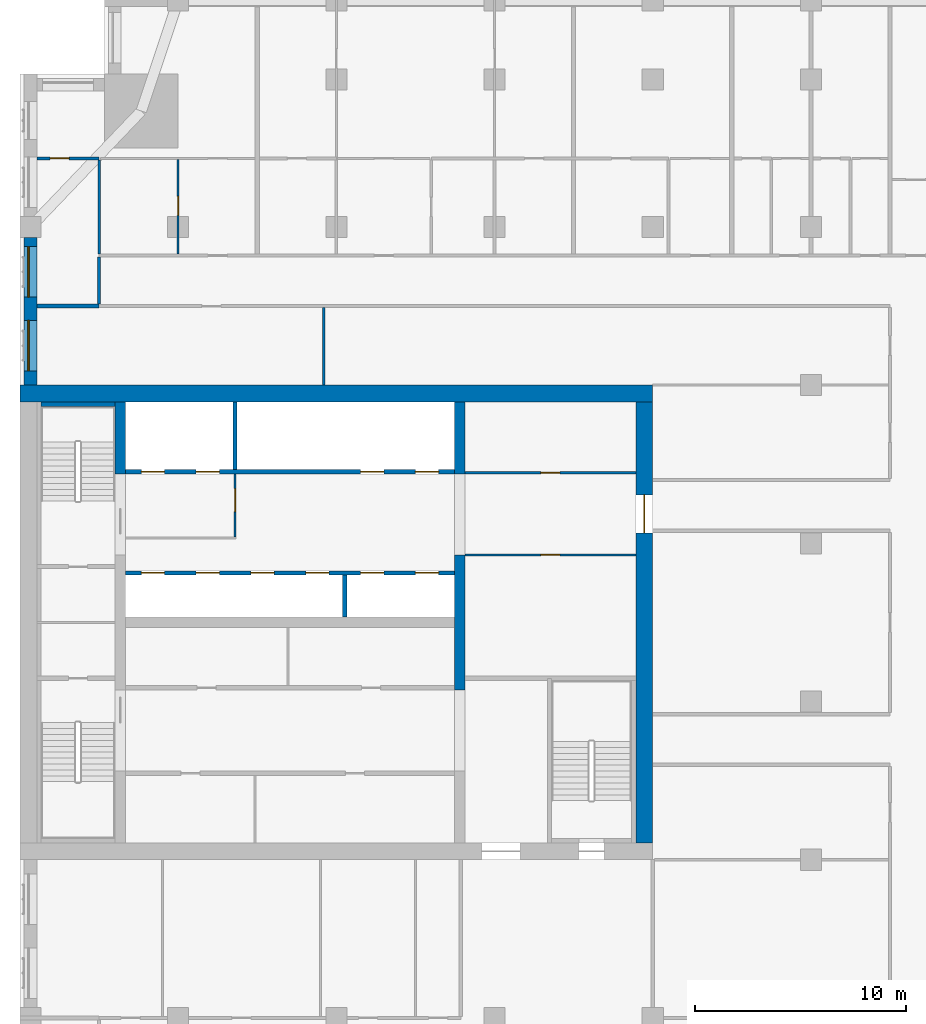
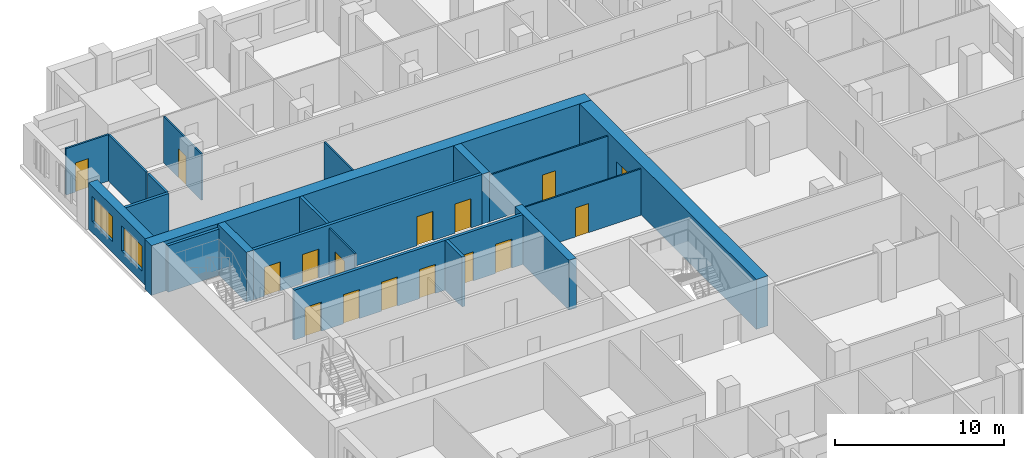
# One storey, part 8 of 14: 20 walls, 16 doors, 2 windows, 18 openings.
"""IFC4 building model written with IfcOpenShell, lengths in metres."""

from ifc_helpers import new_model, si_unit, direction, frame, frame_2d, origin, place, context, subcontext, project, spatial, rectangle, extrude, material, layer, layer_set, type_object, element, fill, save


model = new_model("IFC4")

# Units and contexts
model_context = context("Model", 3, precision=1e-05, world=origin(), true_north=direction((0.0, 1.0)))
body_context = subcontext(model_context, "Body", "Model", "MODEL_VIEW")
ifc_project = project(units=[si_unit("LENGTHUNIT", "METRE"), si_unit("AREAUNIT", "SQUARE_METRE"), si_unit("VOLUMEUNIT", "CUBIC_METRE"), si_unit("PLANEANGLEUNIT", "RADIAN"), si_unit("MASSUNIT", "GRAM", prefix="KILO")], contexts=[model_context])

# Site, building, storey
site_placement = place(None, origin())
site = spatial("IfcSite", under=ifc_project, at=site_placement, CompositionType="ELEMENT")
building_placement = place(site_placement, origin())
building = spatial("IfcBuilding", under=site, at=building_placement, Name="Tamorin Gate", CompositionType="ELEMENT")
storey_placement = place(building_placement, frame((0.0, 0.0, 151.800048828125)))
storey = spatial("IfcBuildingStorey", under=building, at=storey_placement, Name="L37", CompositionType="ELEMENT", Elevation=151.800048828125)

# Wall, openings, windows
ifc_material_1 = material(Name="Precast concrete C40/50", Category="concrete")
ifc_layer_1 = layer(ifc_material_1, 0.60009765625)
ifc_layer_set_1 = layer_set([ifc_layer_1], Name="Precast concrete C40/50")
wall_type_1 = type_object("IfcWallType", Name="Board-marked concrete facade panel 600", PredefinedType="SOLIDWALL", material=ifc_layer_set_1)
wall_1_placement = place(storey_placement, frame((30.5, 89.5, 0.0), z_axis=(0.0, 0.0, 1.0), x_axis=(0.0, -1.0, 0.0)))
wall_1 = element("IfcWall", 1, at=wall_1_placement, inside=storey, type_object=wall_type_1, Name="Facade panel", PredefinedType="SOLIDWALL", context=body_context, shape_type="SweptSolid", body=[
    extrude(rectangle(XDim=7.0, YDim=0.60009765625, at=frame_2d((3.5, 0.0))), origin(), (0.0, 0.0, 1.0), 3.349853515625),
])
opening_1_placement = place(wall_1_placement, frame((3.925048828125, 0.0, 0.800048828125)))
opening_1 = element("IfcOpeningElement", 2, at=opening_1_placement, cuts=wall_1, Name="Opening WN1", PredefinedType="OPENING", context=body_context, shape_type="SweptSolid", body=[
    extrude(rectangle(XDim=2.39990234375, YDim=1.800048828125, at=frame_2d((1.199951171875, 0.89990234375))), frame((0.0, 0.31005859375, 0.0), z_axis=(0.0, -1.0, 0.0), x_axis=(1.0, 0.0, 0.0)), (0.0, 0.0, 1.0), 0.6201171875),
])
opening_2_placement = place(wall_1_placement, frame((0.425048828125, 0.0, 0.800048828125)))
opening_2 = element("IfcOpeningElement", 3, at=opening_2_placement, cuts=wall_1, Name="Opening WN1", PredefinedType="OPENING", context=body_context, shape_type="SweptSolid", body=[
    extrude(rectangle(XDim=2.39990234375, YDim=1.800048828125, at=frame_2d((1.199951171875, 0.89990234375))), frame((0.0, 0.31005859375, 0.0), z_axis=(0.0, -1.0, 0.0), x_axis=(1.0, 0.0, 0.0)), (0.0, 0.0, 1.0), 0.6201171875),
])
ifc_material_2 = material(Name="Clear glass in aluminium frame", Category="aluminium")
window_type = type_object("IfcWindowType", Name="Deep-set window 2400x1800", PartitioningType="SINGLE_PANEL", PredefinedType="WINDOW", material=ifc_material_2)
window_1_placement = place(opening_1_placement, origin())
window_1 = element("IfcWindow", 4, at=window_1_placement, inside=storey, type_object=window_type, Name="Deep-set window", OverallHeight=1.800048828125, OverallWidth=2.39990234375, PartitioningType="SINGLE_PANEL", PredefinedType="WINDOW", context=body_context, shape_type="SweptSolid", body=[
    extrude(rectangle(XDim=2.39990234375, YDim=1.800048828125, at=frame_2d((1.199951171875, 0.89990234375))), frame((0.0, -0.070068359375, 0.0), z_axis=(0.0, -1.0, 0.0), x_axis=(1.0, 0.0, 0.0)), (0.0, 0.0, 1.0), 0.06005859375),
])
fill(opening_1, window_1)
window_2_placement = place(opening_2_placement, origin())
window_2 = element("IfcWindow", 5, at=window_2_placement, inside=storey, type_object=window_type, Name="Deep-set window", OverallHeight=1.800048828125, OverallWidth=2.39990234375, PartitioningType="SINGLE_PANEL", PredefinedType="WINDOW", context=body_context, shape_type="SweptSolid", body=[
    extrude(rectangle(XDim=2.39990234375, YDim=1.800048828125, at=frame_2d((1.199951171875, 0.89990234375))), frame((0.0, -0.070068359375, 0.0), z_axis=(0.0, -1.0, 0.0), x_axis=(1.0, 0.0, 0.0)), (0.0, 0.0, 1.0), 0.06005859375),
])
fill(opening_2, window_2)

# Walls
ifc_material_3 = material(Name="Gypsum board partition")
ifc_layer_2 = layer(ifc_material_3, 0.14990234375)
ifc_layer_set_2 = layer_set([ifc_layer_2], Name="Corridor wall 150")
wall_type_2 = type_object("IfcWallType", Name="Corridor wall 150", PredefinedType="PARTITIONING", material=ifc_layer_set_2)
wall_2_placement = place(storey_placement, frame((33.75, 86.35009765625, 0.0), z_axis=(0.0, 0.0, 1.0), x_axis=(0.0, 1.0, 0.0)))
element("IfcWall", 6, at=wall_2_placement, inside=storey, type_object=wall_type_2, Name="Corridor wall 150", PredefinedType="PARTITIONING", context=body_context, shape_type="SweptSolid", body=[
    extrude(rectangle(XDim=2.224853515625, YDim=0.14990234375, at=frame_2d((1.1123046875, 0.0))), origin(), (0.0, 0.0, 1.0), 3.349853515625),
])
ifc_layer_3 = layer(ifc_material_3, 0.199951171875)
ifc_layer_set_3 = layer_set([ifc_layer_3], Name="Demising wall 200")
wall_type_3 = type_object("IfcWallType", Name="Demising wall 200", PredefinedType="PARTITIONING", material=ifc_layer_set_3)
wall_3_placement = place(storey_placement, frame((30.81005859375, 86.25, 0.0), z_axis=(0.0, 0.0, 1.0), x_axis=(1.0, 0.0, 0.0)))
element("IfcWall", 7, at=wall_3_placement, inside=storey, type_object=wall_type_3, Name="Demising wall 200", PredefinedType="PARTITIONING", context=body_context, shape_type="SweptSolid", body=[
    extrude(rectangle(XDim=2.93994140625, YDim=0.199951171875, at=frame_2d((1.469970703125, 0.0))), origin(), (0.0, 0.0, 1.0), 3.349853515625),
])

# Wall, openings, doors
ifc_material_4 = material(Name="Concrete C32/40", Category="concrete")
ifc_layer_4 = layer(ifc_material_4, 0.199951171875)
ifc_layer_set_4 = layer_set([ifc_layer_4], Name="Lift lobby face wall 200 EI 120")
wall_type_4 = type_object("IfcWallType", Name="Lift lobby face wall 200 EI 120", PredefinedType="SOLIDWALL", material=ifc_layer_set_4)
wall_4_placement = place(storey_placement, frame((35.0, 73.60009765625, 0.0), z_axis=(0.0, 0.0, 1.0), x_axis=(1.0, 0.0, 0.0)))
wall_4 = element("IfcWall", 8, at=wall_4_placement, inside=storey, type_object=wall_type_4, Name="Lift lobby face wall", PredefinedType="SOLIDWALL", context=body_context, shape_type="SweptSolid", body=[
    extrude(rectangle(XDim=15.60009765625, YDim=0.199951171875, at=frame_2d((7.800048828125, 0.0))), origin(), (0.0, 0.0, 1.0), 3.599853515625),
])
opening_3_placement = place(wall_4_placement, frame((0.75, 0.0, 0.0)))
opening_3 = element("IfcOpeningElement", 9, at=opening_3_placement, cuts=wall_4, Name="Opening LD11", PredefinedType="OPENING", context=body_context, shape_type="SweptSolid", body=[
    extrude(rectangle(XDim=1.10009765625, YDim=2.10009765625, at=frame_2d((0.550048828125, 1.050048828125))), frame((0.0, 0.10986328125, 0.0), z_axis=(0.0, -1.0, 0.0), x_axis=(1.0, 0.0, 0.0)), (0.0, 0.0, 1.0), 0.219970703125),
])
opening_4_placement = place(wall_4_placement, frame((3.35009765625, 0.0, 0.0)))
opening_4 = element("IfcOpeningElement", 10, at=opening_4_placement, cuts=wall_4, Name="Opening LD12", PredefinedType="OPENING", context=body_context, shape_type="SweptSolid", body=[
    extrude(rectangle(XDim=1.10009765625, YDim=2.10009765625, at=frame_2d((0.550048828125, 1.050048828125))), frame((0.0, 0.10986328125, 0.0), z_axis=(0.0, -1.0, 0.0), x_axis=(1.0, 0.0, 0.0)), (0.0, 0.0, 1.0), 0.219970703125),
])
opening_5_placement = place(wall_4_placement, frame((5.949951171875, 0.0, 0.0)))
opening_5 = element("IfcOpeningElement", 11, at=opening_5_placement, cuts=wall_4, Name="Opening LD13", PredefinedType="OPENING", context=body_context, shape_type="SweptSolid", body=[
    extrude(rectangle(XDim=1.10009765625, YDim=2.10009765625, at=frame_2d((0.550048828125, 1.050048828125))), frame((0.0, 0.10986328125, 0.0), z_axis=(0.0, -1.0, 0.0), x_axis=(1.0, 0.0, 0.0)), (0.0, 0.0, 1.0), 0.219970703125),
])
opening_6_placement = place(wall_4_placement, frame((8.550048828125, 0.0, 0.0)))
opening_6 = element("IfcOpeningElement", 12, at=opening_6_placement, cuts=wall_4, Name="Opening LD14", PredefinedType="OPENING", context=body_context, shape_type="SweptSolid", body=[
    extrude(rectangle(XDim=1.10009765625, YDim=2.10009765625, at=frame_2d((0.550048828125, 1.050048828125))), frame((0.0, 0.10986328125, 0.0), z_axis=(0.0, -1.0, 0.0), x_axis=(1.0, 0.0, 0.0)), (0.0, 0.0, 1.0), 0.219970703125),
])
opening_7_placement = place(wall_4_placement, frame((11.14990234375, 0.0, 0.0)))
opening_7 = element("IfcOpeningElement", 13, at=opening_7_placement, cuts=wall_4, Name="Opening LD15", PredefinedType="OPENING", context=body_context, shape_type="SweptSolid", body=[
    extrude(rectangle(XDim=1.10009765625, YDim=2.10009765625, at=frame_2d((0.550048828125, 1.050048828125))), frame((0.0, 0.10986328125, 0.0), z_axis=(0.0, -1.0, 0.0), x_axis=(1.0, 0.0, 0.0)), (0.0, 0.0, 1.0), 0.219970703125),
])
opening_8_placement = place(wall_4_placement, frame((13.75, 0.0, 0.0)))
opening_8 = element("IfcOpeningElement", 14, at=opening_8_placement, cuts=wall_4, Name="Opening LD16", PredefinedType="OPENING", context=body_context, shape_type="SweptSolid", body=[
    extrude(rectangle(XDim=1.10009765625, YDim=2.10009765625, at=frame_2d((0.550048828125, 1.050048828125))), frame((0.0, 0.10986328125, 0.0), z_axis=(0.0, -1.0, 0.0), x_axis=(1.0, 0.0, 0.0)), (0.0, 0.0, 1.0), 0.219970703125),
])
ifc_material_5 = material(Name="Stainless steel sliding door", Category="steel")
door_type_1 = type_object("IfcDoorType", Name="Lift landing door 1100 x 2100 E 90", OperationType="DOUBLE_DOOR_SLIDING", PredefinedType="DOOR", material=ifc_material_5)
door_1_placement = place(opening_3_placement, origin())
door_1 = element("IfcDoor", 15, at=door_1_placement, inside=storey, type_object=door_type_1, Name="HR1 landing door", OperationType="DOUBLE_DOOR_SLIDING", OverallHeight=2.10009765625, OverallWidth=1.10009765625, PredefinedType="DOOR", context=body_context, shape_type="SweptSolid", body=[
    extrude(rectangle(XDim=1.10009765625, YDim=2.10009765625, at=frame_2d((0.550048828125, 1.050048828125))), frame((0.0, 0.02490234375, 0.0), z_axis=(0.0, -1.0, 0.0), x_axis=(1.0, 0.0, 0.0)), (0.0, 0.0, 1.0), 0.050048828125),
])
fill(opening_3, door_1)
door_2_placement = place(opening_4_placement, origin())
door_2 = element("IfcDoor", 16, at=door_2_placement, inside=storey, type_object=door_type_1, Name="HR2 landing door", OperationType="DOUBLE_DOOR_SLIDING", OverallHeight=2.10009765625, OverallWidth=1.10009765625, PredefinedType="DOOR", context=body_context, shape_type="SweptSolid", body=[
    extrude(rectangle(XDim=1.10009765625, YDim=2.10009765625, at=frame_2d((0.550048828125, 1.050048828125))), frame((0.0, 0.02490234375, 0.0), z_axis=(0.0, -1.0, 0.0), x_axis=(1.0, 0.0, 0.0)), (0.0, 0.0, 1.0), 0.050048828125),
])
fill(opening_4, door_2)
door_3_placement = place(opening_5_placement, origin())
door_3 = element("IfcDoor", 17, at=door_3_placement, inside=storey, type_object=door_type_1, Name="HR3 landing door", OperationType="DOUBLE_DOOR_SLIDING", OverallHeight=2.10009765625, OverallWidth=1.10009765625, PredefinedType="DOOR", context=body_context, shape_type="SweptSolid", body=[
    extrude(rectangle(XDim=1.10009765625, YDim=2.10009765625, at=frame_2d((0.550048828125, 1.050048828125))), frame((0.0, 0.02490234375, 0.0), z_axis=(0.0, -1.0, 0.0), x_axis=(1.0, 0.0, 0.0)), (0.0, 0.0, 1.0), 0.050048828125),
])
fill(opening_5, door_3)
door_4_placement = place(opening_6_placement, origin())
door_4 = element("IfcDoor", 18, at=door_4_placement, inside=storey, type_object=door_type_1, Name="HR4 landing door", OperationType="DOUBLE_DOOR_SLIDING", OverallHeight=2.10009765625, OverallWidth=1.10009765625, PredefinedType="DOOR", context=body_context, shape_type="SweptSolid", body=[
    extrude(rectangle(XDim=1.10009765625, YDim=2.10009765625, at=frame_2d((0.550048828125, 1.050048828125))), frame((0.0, 0.02490234375, 0.0), z_axis=(0.0, -1.0, 0.0), x_axis=(1.0, 0.0, 0.0)), (0.0, 0.0, 1.0), 0.050048828125),
])
fill(opening_6, door_4)
door_5_placement = place(opening_7_placement, origin())
door_5 = element("IfcDoor", 19, at=door_5_placement, inside=storey, type_object=door_type_1, Name="HR5 landing door", OperationType="DOUBLE_DOOR_SLIDING", OverallHeight=2.10009765625, OverallWidth=1.10009765625, PredefinedType="DOOR", context=body_context, shape_type="SweptSolid", body=[
    extrude(rectangle(XDim=1.10009765625, YDim=2.10009765625, at=frame_2d((0.550048828125, 1.050048828125))), frame((0.0, 0.02490234375, 0.0), z_axis=(0.0, -1.0, 0.0), x_axis=(1.0, 0.0, 0.0)), (0.0, 0.0, 1.0), 0.050048828125),
])
fill(opening_7, door_5)
door_6_placement = place(opening_8_placement, origin())
door_6 = element("IfcDoor", 20, at=door_6_placement, inside=storey, type_object=door_type_1, Name="HR6 landing door", OperationType="DOUBLE_DOOR_SLIDING", OverallHeight=2.10009765625, OverallWidth=1.10009765625, PredefinedType="DOOR", context=body_context, shape_type="SweptSolid", body=[
    extrude(rectangle(XDim=1.10009765625, YDim=2.10009765625, at=frame_2d((0.550048828125, 1.050048828125))), frame((0.0, 0.02490234375, 0.0), z_axis=(0.0, -1.0, 0.0), x_axis=(1.0, 0.0, 0.0)), (0.0, 0.0, 1.0), 0.050048828125),
])
fill(opening_8, door_6)

wall_5_placement = place(storey_placement, frame((35.0, 78.39990234375, 0.0), z_axis=(0.0, 0.0, 1.0), x_axis=(1.0, 0.0, 0.0)))
wall_5 = element("IfcWall", 21, at=wall_5_placement, inside=storey, type_object=wall_type_4, Name="Lift lobby face wall", PredefinedType="SOLIDWALL", context=body_context, shape_type="SweptSolid", body=[
    extrude(rectangle(XDim=15.60009765625, YDim=0.199951171875, at=frame_2d((7.800048828125, 0.0))), origin(), (0.0, 0.0, 1.0), 3.599853515625),
])
opening_9_placement = place(wall_5_placement, frame((0.75, 0.0, 0.0)))
opening_9 = element("IfcOpeningElement", 22, at=opening_9_placement, cuts=wall_5, Name="Opening LD17", PredefinedType="OPENING", context=body_context, shape_type="SweptSolid", body=[
    extrude(rectangle(XDim=1.10009765625, YDim=2.10009765625, at=frame_2d((0.550048828125, 1.050048828125))), frame((0.0, 0.10986328125, 0.0), z_axis=(0.0, -1.0, 0.0), x_axis=(1.0, 0.0, 0.0)), (0.0, 0.0, 1.0), 0.219970703125),
])
opening_10_placement = place(wall_5_placement, frame((3.35009765625, 0.0, 0.0)))
opening_10 = element("IfcOpeningElement", 23, at=opening_10_placement, cuts=wall_5, Name="Opening LD18", PredefinedType="OPENING", context=body_context, shape_type="SweptSolid", body=[
    extrude(rectangle(XDim=1.10009765625, YDim=2.10009765625, at=frame_2d((0.550048828125, 1.050048828125))), frame((0.0, 0.10986328125, 0.0), z_axis=(0.0, -1.0, 0.0), x_axis=(1.0, 0.0, 0.0)), (0.0, 0.0, 1.0), 0.219970703125),
])
opening_11_placement = place(wall_5_placement, frame((11.14990234375, 0.0, 0.0)))
opening_11 = element("IfcOpeningElement", 24, at=opening_11_placement, cuts=wall_5, Name="Opening LD21", PredefinedType="OPENING", context=body_context, shape_type="SweptSolid", body=[
    extrude(rectangle(XDim=1.10009765625, YDim=2.10009765625, at=frame_2d((0.550048828125, 1.050048828125))), frame((0.0, 0.10986328125, 0.0), z_axis=(0.0, -1.0, 0.0), x_axis=(1.0, 0.0, 0.0)), (0.0, 0.0, 1.0), 0.219970703125),
])
opening_12_placement = place(wall_5_placement, frame((13.75, 0.0, 0.0)))
opening_12 = element("IfcOpeningElement", 25, at=opening_12_placement, cuts=wall_5, Name="Opening LD22", PredefinedType="OPENING", context=body_context, shape_type="SweptSolid", body=[
    extrude(rectangle(XDim=1.10009765625, YDim=2.10009765625, at=frame_2d((0.550048828125, 1.050048828125))), frame((0.0, 0.10986328125, 0.0), z_axis=(0.0, -1.0, 0.0), x_axis=(1.0, 0.0, 0.0)), (0.0, 0.0, 1.0), 0.219970703125),
])
door_7_placement = place(opening_9_placement, origin())
door_7 = element("IfcDoor", 26, at=door_7_placement, inside=storey, type_object=door_type_1, Name="FF1 landing door", OperationType="DOUBLE_DOOR_SLIDING", OverallHeight=2.10009765625, OverallWidth=1.10009765625, PredefinedType="DOOR", context=body_context, shape_type="SweptSolid", body=[
    extrude(rectangle(XDim=1.10009765625, YDim=2.10009765625, at=frame_2d((0.550048828125, 1.050048828125))), frame((0.0, 0.02490234375, 0.0), z_axis=(0.0, -1.0, 0.0), x_axis=(1.0, 0.0, 0.0)), (0.0, 0.0, 1.0), 0.050048828125),
])
fill(opening_9, door_7)
door_8_placement = place(opening_10_placement, origin())
door_8 = element("IfcDoor", 27, at=door_8_placement, inside=storey, type_object=door_type_1, Name="FF2 landing door", OperationType="DOUBLE_DOOR_SLIDING", OverallHeight=2.10009765625, OverallWidth=1.10009765625, PredefinedType="DOOR", context=body_context, shape_type="SweptSolid", body=[
    extrude(rectangle(XDim=1.10009765625, YDim=2.10009765625, at=frame_2d((0.550048828125, 1.050048828125))), frame((0.0, 0.02490234375, 0.0), z_axis=(0.0, -1.0, 0.0), x_axis=(1.0, 0.0, 0.0)), (0.0, 0.0, 1.0), 0.050048828125),
])
fill(opening_10, door_8)
door_9_placement = place(opening_11_placement, origin())
door_9 = element("IfcDoor", 28, at=door_9_placement, inside=storey, type_object=door_type_1, Name="SV1 landing door", OperationType="DOUBLE_DOOR_SLIDING", OverallHeight=2.10009765625, OverallWidth=1.10009765625, PredefinedType="DOOR", context=body_context, shape_type="SweptSolid", body=[
    extrude(rectangle(XDim=1.10009765625, YDim=2.10009765625, at=frame_2d((0.550048828125, 1.050048828125))), frame((0.0, 0.02490234375, 0.0), z_axis=(0.0, -1.0, 0.0), x_axis=(1.0, 0.0, 0.0)), (0.0, 0.0, 1.0), 0.050048828125),
])
fill(opening_11, door_9)
door_10_placement = place(opening_12_placement, origin())
door_10 = element("IfcDoor", 29, at=door_10_placement, inside=storey, type_object=door_type_1, Name="SV2 landing door", OperationType="DOUBLE_DOOR_SLIDING", OverallHeight=2.10009765625, OverallWidth=1.10009765625, PredefinedType="DOOR", context=body_context, shape_type="SweptSolid", body=[
    extrude(rectangle(XDim=1.10009765625, YDim=2.10009765625, at=frame_2d((0.550048828125, 1.050048828125))), frame((0.0, 0.02490234375, 0.0), z_axis=(0.0, -1.0, 0.0), x_axis=(1.0, 0.0, 0.0)), (0.0, 0.0, 1.0), 0.050048828125),
])
fill(opening_12, door_10)

# Walls
ifc_layer_5 = layer(ifc_material_4, 0.199951171875)
ifc_layer_set_5 = layer_set([ifc_layer_5], Name="Lift shaft wall 200 EI 120")
wall_type_5 = type_object("IfcWallType", Name="Lift shaft wall 200 EI 120", PredefinedType="SOLIDWALL", material=ifc_layer_set_5)
wall_6_placement = place(storey_placement, frame((45.39990234375, 71.5, 0.0), z_axis=(0.0, 0.0, 1.0), x_axis=(0.0, 1.0, 0.0)))
element("IfcWall", 30, at=wall_6_placement, inside=storey, type_object=wall_type_5, Name="Lift shaft wall", PredefinedType="SOLIDWALL", context=body_context, shape_type="SweptSolid", body=[
    extrude(rectangle(XDim=2.0, YDim=0.199951171875, at=frame_2d((1.0, 0.0))), origin(), (0.0, 0.0, 1.0), 3.599853515625),
])
wall_7_placement = place(storey_placement, frame((40.199951171875, 78.5, 0.0), z_axis=(0.0, 0.0, 1.0), x_axis=(0.0, 1.0, 0.0)))
element("IfcWall", 31, at=wall_7_placement, inside=storey, type_object=wall_type_5, Name="Lift shaft wall", PredefinedType="SOLIDWALL", context=body_context, shape_type="SweptSolid", body=[
    extrude(rectangle(XDim=3.199951171875, YDim=0.199951171875, at=frame_2d((1.60009765625, 0.0))), origin(), (0.0, 0.0, 1.0), 3.599853515625),
])

# Wall, opening, door
ifc_material_6 = material(Name="Fire-rated gypsum board partition")
ifc_layer_6 = layer(ifc_material_6, 0.10009765625)
ifc_layer_set_6 = layer_set([ifc_layer_6], Name="Lobby wall 100 EI 60")
wall_type_6 = type_object("IfcWallType", Name="Lobby wall 100 EI 60", PredefinedType="PARTITIONING", material=ifc_layer_set_6)
wall_8_placement = place(storey_placement, frame((40.199951171875, 75.300048828125, 0.0), z_axis=(0.0, 0.0, 1.0), x_axis=(0.0, 1.0, 0.0)))
wall_8 = element("IfcWall", 32, at=wall_8_placement, inside=storey, type_object=wall_type_6, Name="Firefighting lobby wall", PredefinedType="PARTITIONING", context=body_context, shape_type="SweptSolid", body=[
    extrude(rectangle(XDim=3.0, YDim=0.10009765625, at=frame_2d((1.5, 0.0))), origin(), (0.0, 0.0, 1.0), 3.349853515625),
])
opening_13_placement = place(wall_8_placement, frame((1.199951171875, 0.0, 0.0)))
opening_13 = element("IfcOpeningElement", 33, at=opening_13_placement, cuts=wall_8, Name="Opening DF1", PredefinedType="OPENING", context=body_context, shape_type="SweptSolid", body=[
    extrude(rectangle(XDim=1.10009765625, YDim=2.10009765625, at=frame_2d((0.550048828125, 1.050048828125))), frame((0.0, 0.06005859375, 0.0), z_axis=(0.0, -1.0, 0.0), x_axis=(1.0, 0.0, 0.0)), (0.0, 0.0, 1.0), 0.1201171875),
])
ifc_material_7 = material(Name="Steel fire door", Category="steel")
door_type_2 = type_object("IfcDoorType", Name="Firefighting lobby door 1100 x 2100 EI 90", OperationType="SINGLE_SWING_LEFT", PredefinedType="DOOR", material=ifc_material_7)
door_11_placement = place(opening_13_placement, origin())
door_11 = element("IfcDoor", 34, at=door_11_placement, inside=storey, type_object=door_type_2, Name="Firefighting lobby door", OperationType="SINGLE_SWING_LEFT", OverallHeight=2.10009765625, OverallWidth=1.10009765625, PredefinedType="DOOR", context=body_context, shape_type="SweptSolid", body=[
    extrude(rectangle(XDim=1.10009765625, YDim=2.10009765625, at=frame_2d((0.550048828125, 1.050048828125))), frame((0.0, 0.02490234375, 0.0), z_axis=(0.0, -1.0, 0.0), x_axis=(1.0, 0.0, 0.0)), (0.0, 0.0, 1.0), 0.050048828125),
])
fill(opening_13, door_11)

# Walls
ifc_material_8 = material(Name="Concrete C60/75", Category="concrete")
ifc_layer_7 = layer(ifc_material_8, 0.5)
ifc_layer_set_7 = layer_set([ifc_layer_7], Name="RC core internal wall 500 C60/75")
wall_type_7 = type_object("IfcWallType", Name="RC core internal wall 500 C60/75", PredefinedType="SHEAR", material=ifc_layer_set_7)
wall_9_placement = place(storey_placement, frame((34.75, 78.300048828125, 0.0), z_axis=(0.0, 0.0, 1.0), x_axis=(0.0, 1.0, 0.0)))
element("IfcWall", 35, at=wall_9_placement, inside=storey, type_object=wall_type_7, Name="Core cross wall L37", PredefinedType="SHEAR", context=body_context, shape_type="SweptSolid", body=[
    extrude(rectangle(XDim=3.39990234375, YDim=0.5, at=frame_2d((1.699951171875, 0.0))), origin(), (0.0, 0.0, 1.0), 3.599853515625),
])
wall_10_placement = place(storey_placement, frame((50.85009765625, 68.050048828125, 0.0), z_axis=(0.0, 0.0, 1.0), x_axis=(0.0, 1.0, 0.0)))
element("IfcWall", 36, at=wall_10_placement, inside=storey, type_object=wall_type_7, Name="Core cross wall L37", PredefinedType="SHEAR", context=body_context, shape_type="SweptSolid", body=[
    extrude(rectangle(XDim=6.39990234375, YDim=0.5, at=frame_2d((3.199951171875, 0.0))), origin(), (0.0, 0.0, 1.0), 3.599853515625),
])
wall_11_placement = place(storey_placement, frame((50.85009765625, 78.300048828125, 0.0), z_axis=(0.0, 0.0, 1.0), x_axis=(0.0, 1.0, 0.0)))
element("IfcWall", 37, at=wall_11_placement, inside=storey, type_object=wall_type_7, Name="Core cross wall L37", PredefinedType="SHEAR", context=body_context, shape_type="SweptSolid", body=[
    extrude(rectangle(XDim=3.39990234375, YDim=0.5, at=frame_2d((1.699951171875, 0.0))), origin(), (0.0, 0.0, 1.0), 3.599853515625),
])
ifc_layer_8 = layer(ifc_material_8, 0.800048828125)
ifc_layer_set_8 = layer_set([ifc_layer_8], Name="RC core wall 800 C60/75")
wall_type_8 = type_object("IfcWallType", Name="RC core wall 800 C60/75", PredefinedType="SHEAR", material=ifc_layer_set_8)
wall_12_placement = place(storey_placement, frame((30.0, 82.10009765625, 0.0), z_axis=(0.0, 0.0, 1.0), x_axis=(1.0, 0.0, 0.0)))
element("IfcWall", 38, at=wall_12_placement, inside=storey, type_object=wall_type_8, Name="Core wall L37", PredefinedType="SHEAR", context=body_context, shape_type="SweptSolid", body=[
    extrude(rectangle(XDim=30.0, YDim=0.800048828125, at=frame_2d((15.0, 0.0))), origin(), (0.0, 0.0, 1.0), 3.599853515625),
])

# Wall, opening, door
wall_13_placement = place(storey_placement, frame((59.60009765625, 60.800048828125, 0.0), z_axis=(0.0, 0.0, 1.0), x_axis=(0.0, 1.0, 0.0)))
wall_13 = element("IfcWall", 39, at=wall_13_placement, inside=storey, type_object=wall_type_8, Name="Core wall L37", PredefinedType="SHEAR", context=body_context, shape_type="SweptSolid", body=[
    extrude(rectangle(XDim=20.89990234375, YDim=0.800048828125, at=frame_2d((10.449951171875, 0.0))), origin(), (0.0, 0.0, 1.0), 3.599853515625),
])
opening_14_placement = place(wall_13_placement, frame((14.699951171875, 0.0, 0.0)))
opening_14 = element("IfcOpeningElement", 40, at=opening_14_placement, cuts=wall_13, Name="Opening DE1", PredefinedType="OPENING", context=body_context, shape_type="SweptSolid", body=[
    extrude(rectangle(XDim=1.800048828125, YDim=2.10009765625, at=frame_2d((0.89990234375, 1.050048828125))), frame((0.0, 0.409912109375, 0.0), z_axis=(0.0, -1.0, 0.0), x_axis=(1.0, 0.0, 0.0)), (0.0, 0.0, 1.0), 0.820068359375),
])
door_type_3 = type_object("IfcDoorType", Name="Lobby exit double door 1800 x 2100 EI 60", OperationType="DOUBLE_DOOR_SINGLE_SWING", PredefinedType="DOOR", material=ifc_material_7)
door_12_placement = place(opening_14_placement, origin())
door_12 = element("IfcDoor", 41, at=door_12_placement, inside=storey, type_object=door_type_3, Name="Lift lobby B exit door", OperationType="DOUBLE_DOOR_SINGLE_SWING", OverallHeight=2.10009765625, OverallWidth=1.800048828125, PredefinedType="DOOR", context=body_context, shape_type="SweptSolid", body=[
    extrude(rectangle(XDim=1.800048828125, YDim=2.10009765625, at=frame_2d((0.89990234375, 1.050048828125))), frame((0.0, 0.02490234375, 0.0), z_axis=(0.0, -1.0, 0.0), x_axis=(1.0, 0.0, 0.0)), (0.0, 0.0, 1.0), 0.050048828125),
])
fill(opening_14, door_12)

ifc_layer_9 = layer(ifc_material_3, 0.10009765625)
ifc_layer_set_9 = layer_set([ifc_layer_9], Name="Room partition 100")
wall_type_9 = type_object("IfcWallType", Name="Room partition 100", PredefinedType="PARTITIONING", material=ifc_layer_set_9)
wall_14_placement = place(storey_placement, frame((37.5, 88.72509765625, 0.0), z_axis=(0.0, 0.0, 1.0), x_axis=(0.0, 1.0, 0.0)))
wall_14 = element("IfcWall", 42, at=wall_14_placement, inside=storey, type_object=wall_type_9, Name="Room partition 100", PredefinedType="PARTITIONING", context=body_context, shape_type="SweptSolid", body=[
    extrude(rectangle(XDim=4.474853515625, YDim=0.10009765625, at=frame_2d((2.2373046875, 0.0))), origin(), (0.0, 0.0, 1.0), 3.349853515625),
])
opening_15_placement = place(wall_14_placement, frame((1.824951171875, 0.0, 0.0)))
opening_15 = element("IfcOpeningElement", 43, at=opening_15_placement, cuts=wall_14, Name="Opening DS3019", PredefinedType="OPENING", context=body_context, shape_type="SweptSolid", body=[
    extrude(rectangle(XDim=0.89990234375, YDim=2.10009765625, at=frame_2d((0.449951171875, 1.050048828125))), frame((0.0, 0.06005859375, 0.0), z_axis=(0.0, -1.0, 0.0), x_axis=(1.0, 0.0, 0.0)), (0.0, 0.0, 1.0), 0.1201171875),
])
ifc_material_9 = material(Name="Timber door leaf", Category="wood")
door_type_4 = type_object("IfcDoorType", Name="Door 900 x 2100", OperationType="NOTDEFINED", PredefinedType="DOOR", material=ifc_material_9)
door_13_placement = place(opening_15_placement, origin())
door_13 = element("IfcDoor", 44, at=door_13_placement, inside=storey, type_object=door_type_4, Name="Door DS3019", OperationType="SINGLE_SWING_RIGHT", OverallHeight=2.10009765625, OverallWidth=0.89990234375, PredefinedType="DOOR", context=body_context, shape_type="SweptSolid", body=[
    extrude(rectangle(XDim=0.89990234375, YDim=2.10009765625, at=frame_2d((0.449951171875, 1.050048828125))), frame((0.0, 0.02490234375, 0.0), z_axis=(0.0, -1.0, 0.0), x_axis=(1.0, 0.0, 0.0)), (0.0, 0.0, 1.0), 0.050048828125),
])
fill(opening_15, door_13)

# Wall
wall_15_placement = place(storey_placement, frame((44.39990234375, 82.5, 0.0), z_axis=(0.0, 0.0, 1.0), x_axis=(0.0, 1.0, 0.0)))
element("IfcWall", 45, at=wall_15_placement, inside=storey, type_object=wall_type_9, Name="Room partition 100", PredefinedType="PARTITIONING", context=body_context, shape_type="SweptSolid", body=[
    extrude(rectangle(XDim=3.675048828125, YDim=0.10009765625, at=frame_2d((1.83740234375, 0.0))), origin(), (0.0, 0.0, 1.0), 3.349853515625),
])

# Wall, opening, door
ifc_layer_10 = layer(ifc_material_3, 0.10009765625)
ifc_layer_set_10 = layer_set([ifc_layer_10], Name="Service room partition 100 EI 60")
wall_type_10 = type_object("IfcWallType", Name="Service room partition 100 EI 60", PredefinedType="PARTITIONING", material=ifc_layer_set_10)
wall_16_placement = place(storey_placement, frame((51.10009765625, 74.449951171875, 0.0), z_axis=(0.0, 0.0, 1.0), x_axis=(1.0, 0.0, 0.0)))
wall_16 = element("IfcWall", 46, at=wall_16_placement, inside=storey, type_object=wall_type_10, Name="Service room wall", PredefinedType="PARTITIONING", context=body_context, shape_type="SweptSolid", body=[
    extrude(rectangle(XDim=8.099853515625, YDim=0.10009765625, at=frame_2d((4.0498046875, 0.0))), origin(), (0.0, 0.0, 1.0), 3.349853515625),
])
opening_16_placement = place(wall_16_placement, frame((3.60009765625, 0.0, 0.0)))
opening_16 = element("IfcOpeningElement", 47, at=opening_16_placement, cuts=wall_16, Name="Opening DR1", PredefinedType="OPENING", context=body_context, shape_type="SweptSolid", body=[
    extrude(rectangle(XDim=0.89990234375, YDim=2.10009765625, at=frame_2d((0.449951171875, 1.050048828125))), frame((0.0, 0.06005859375, 0.0), z_axis=(0.0, -1.0, 0.0), x_axis=(1.0, 0.0, 0.0)), (0.0, 0.0, 1.0), 0.1201171875),
])
door_type_5 = type_object("IfcDoorType", Name="Riser access door 900 x 2100 EI 120", OperationType="SINGLE_SWING_LEFT", PredefinedType="DOOR", material=ifc_material_7)
door_14_placement = place(opening_16_placement, origin())
door_14 = element("IfcDoor", 48, at=door_14_placement, inside=storey, type_object=door_type_5, Name="Duct riser door", OperationType="SINGLE_SWING_LEFT", OverallHeight=2.10009765625, OverallWidth=0.89990234375, PredefinedType="DOOR", context=body_context, shape_type="SweptSolid", body=[
    extrude(rectangle(XDim=0.89990234375, YDim=2.10009765625, at=frame_2d((0.449951171875, 1.050048828125))), frame((0.0, 0.02490234375, 0.0), z_axis=(0.0, -1.0, 0.0), x_axis=(1.0, 0.0, 0.0)), (0.0, 0.0, 1.0), 0.050048828125),
])
fill(opening_16, door_14)

wall_17_placement = place(storey_placement, frame((51.10009765625, 78.35009765625, 0.0), z_axis=(0.0, 0.0, 1.0), x_axis=(1.0, 0.0, 0.0)))
wall_17 = element("IfcWall", 49, at=wall_17_placement, inside=storey, type_object=wall_type_10, Name="Service room wall", PredefinedType="PARTITIONING", context=body_context, shape_type="SweptSolid", body=[
    extrude(rectangle(XDim=8.099853515625, YDim=0.10009765625, at=frame_2d((4.0498046875, 0.0))), origin(), (0.0, 0.0, 1.0), 3.349853515625),
])
opening_17_placement = place(wall_17_placement, frame((3.60009765625, 0.0, 0.0)))
opening_17 = element("IfcOpeningElement", 50, at=opening_17_placement, cuts=wall_17, Name="Opening DK1", PredefinedType="OPENING", context=body_context, shape_type="SweptSolid", body=[
    extrude(rectangle(XDim=0.89990234375, YDim=2.10009765625, at=frame_2d((0.449951171875, 1.050048828125))), frame((0.0, 0.06005859375, 0.0), z_axis=(0.0, -1.0, 0.0), x_axis=(1.0, 0.0, 0.0)), (0.0, 0.0, 1.0), 0.1201171875),
])
ifc_material_10 = material(Name="Timber fire door", Category="wood")
door_type_6 = type_object("IfcDoorType", Name="Service room door 900 x 2100 EI 60", OperationType="SINGLE_SWING_LEFT", PredefinedType="DOOR", material=ifc_material_10)
door_15_placement = place(opening_17_placement, origin())
door_15 = element("IfcDoor", 51, at=door_15_placement, inside=storey, type_object=door_type_6, Name="Door Housekeeping office", OperationType="SINGLE_SWING_LEFT", OverallHeight=2.10009765625, OverallWidth=0.89990234375, PredefinedType="DOOR", context=body_context, shape_type="SweptSolid", body=[
    extrude(rectangle(XDim=0.89990234375, YDim=2.10009765625, at=frame_2d((0.449951171875, 1.050048828125))), frame((0.0, 0.02490234375, 0.0), z_axis=(0.0, -1.0, 0.0), x_axis=(1.0, 0.0, 0.0)), (0.0, 0.0, 1.0), 0.050048828125),
])
fill(opening_17, door_15)

# Wall
ifc_layer_11 = layer(ifc_material_8, 0.199951171875)
ifc_layer_set_11 = layer_set([ifc_layer_11], Name="Stair lining wall 200 EI 120 C60/75")
wall_type_11 = type_object("IfcWallType", Name="Stair lining wall 200 EI 120 C60/75", PredefinedType="SOLIDWALL", material=ifc_layer_set_11)
wall_18_placement = place(storey_placement, frame((31.0, 81.60009765625, 0.0), z_axis=(0.0, 0.0, 1.0), x_axis=(1.0, 0.0, 0.0)))
element("IfcWall", 52, at=wall_18_placement, inside=storey, type_object=wall_type_11, Name="Stair lining wall", PredefinedType="SOLIDWALL", context=body_context, shape_type="SweptSolid", body=[
    extrude(rectangle(XDim=3.5, YDim=0.199951171875, at=frame_2d((1.75, 0.0))), origin(), (0.0, 0.0, 1.0), 3.349853515625),
])

# Wall, opening, door
ifc_layer_12 = layer(ifc_material_3, 0.125)
ifc_layer_set_12 = layer_set([ifc_layer_12], Name="Wet wall 125")
wall_type_12 = type_object("IfcWallType", Name="Wet wall 125", PredefinedType="PARTITIONING", material=ifc_layer_set_12)
wall_19_placement = place(storey_placement, frame((30.81005859375, 93.25, 0.0), z_axis=(0.0, 0.0, 1.0), x_axis=(1.0, 0.0, 0.0)))
wall_19 = element("IfcWall", 53, at=wall_19_placement, inside=storey, type_object=wall_type_12, Name="Wet wall 125", PredefinedType="PARTITIONING", context=body_context, shape_type="SweptSolid", body=[
    extrude(rectangle(XDim=2.93994140625, YDim=0.125, at=frame_2d((1.469970703125, 0.0))), origin(), (0.0, 0.0, 1.0), 3.349853515625),
])
opening_18_placement = place(wall_19_placement, frame((0.614990234375, 0.0, 0.0)))
opening_18 = element("IfcOpeningElement", 54, at=opening_18_placement, cuts=wall_19, Name="Opening DS3018", PredefinedType="OPENING", context=body_context, shape_type="SweptSolid", body=[
    extrude(rectangle(XDim=0.89990234375, YDim=2.10009765625, at=frame_2d((0.449951171875, 1.050048828125))), frame((0.0, 0.072509765625, 0.0), z_axis=(0.0, -1.0, 0.0), x_axis=(1.0, 0.0, 0.0)), (0.0, 0.0, 1.0), 0.14501953125),
])
door_16_placement = place(opening_18_placement, origin())
door_16 = element("IfcDoor", 55, at=door_16_placement, inside=storey, type_object=door_type_4, Name="Door DS3018", OperationType="SINGLE_SWING_RIGHT", OverallHeight=2.10009765625, OverallWidth=0.89990234375, PredefinedType="DOOR", context=body_context, shape_type="SweptSolid", body=[
    extrude(rectangle(XDim=0.89990234375, YDim=2.10009765625, at=frame_2d((0.449951171875, 1.050048828125))), frame((0.0, 0.02490234375, 0.0), z_axis=(0.0, -1.0, 0.0), x_axis=(1.0, 0.0, 0.0)), (0.0, 0.0, 1.0), 0.050048828125),
])
fill(opening_18, door_16)

# Wall
wall_20_placement = place(storey_placement, frame((33.75, 88.72509765625, 0.0), z_axis=(0.0, 0.0, 1.0), x_axis=(0.0, 1.0, 0.0)))
element("IfcWall", 56, at=wall_20_placement, inside=storey, type_object=wall_type_12, Name="Wet wall 125", PredefinedType="PARTITIONING", context=body_context, shape_type="SweptSolid", body=[
    extrude(rectangle(XDim=4.46240234375, YDim=0.125, at=frame_2d((2.231201171875, 0.0))), origin(), (0.0, 0.0, 1.0), 3.349853515625),
])

save(model, "model.ifc")
